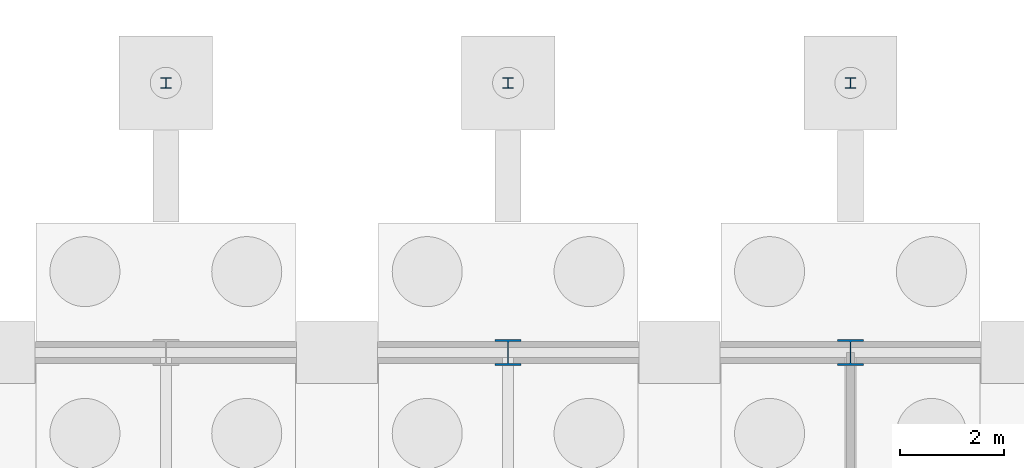
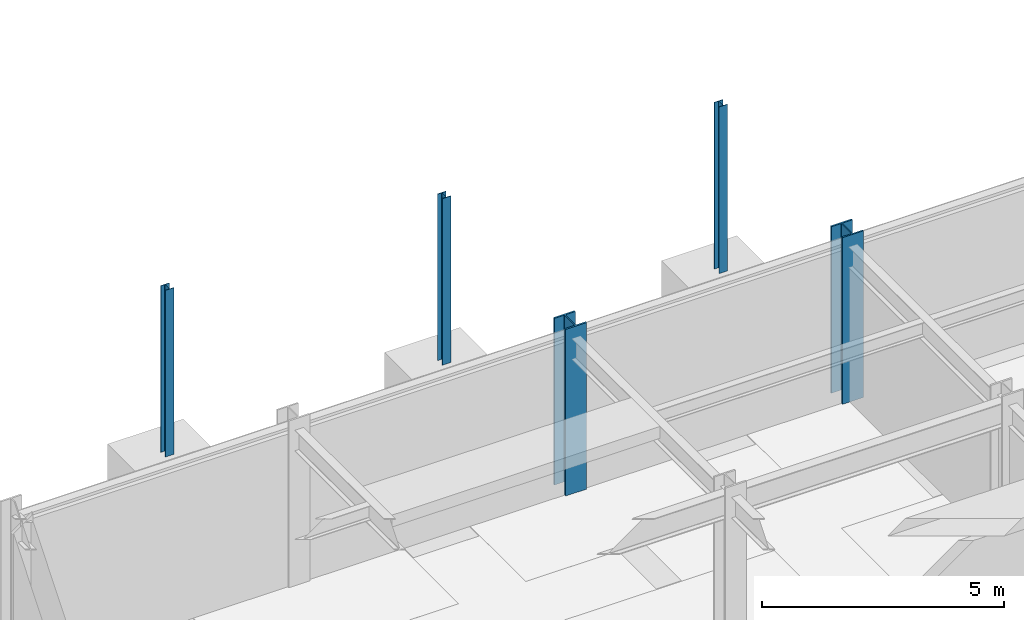
# One storey, part 15 of 58: 5 columns.
"""IFC4 building model written with IfcOpenShell, lengths in metres."""

import ifcopenshell
import ifcopenshell.guid

model = None  # the IFC model being written
_history = None  # IfcOwnerHistory: only IFC2X3 demands one
_inside = {}  # id of a spatial element -> (the spatial element, [elements in it])
_under = {}  # id of a project, library or spatial element -> (it, [spatial elements below it])
_declared = {}  # id of a project -> (the project, [libraries it declares])
_typed = {}  # id of a type object -> (the type object, [elements of that type])
_made_of = {}  # id of a material, layer set ... -> (it, [elements and type objects made of it])


def new_model(schema):
    """Start an empty IFC model of exactly this schema.

    Asked for "IFC4X3", IfcOpenShell would pick the latest addendum, in which some entities
    have other attributes; the version numbers below select the first issue.
    IFC2X3 requires an IfcOwnerHistory on every rooted entity: one is made here for all.
    """
    global model, _history
    if schema == "IFC4X3":
        model = ifcopenshell.file(schema_version=(4, 3, 0, 0))
    else:
        model = ifcopenshell.file(schema=schema)
    _inside.clear()
    _under.clear()
    _declared.clear()
    _typed.clear()
    _made_of.clear()
    _history = None
    if model.schema == "IFC2X3":
        org = make("IfcOrganization", Name="unknown")
        user = make(
            "IfcPersonAndOrganization",
            ThePerson=make("IfcPerson", FamilyName="unknown"),
            TheOrganization=org,
        )
        app = make(
            "IfcApplication",
            ApplicationDeveloper=org,
            Version="unknown",
            ApplicationFullName="unknown",
            ApplicationIdentifier="unknown",
        )
        _history = make(
            "IfcOwnerHistory",
            OwningUser=user,
            OwningApplication=app,
            ChangeAction="ADDED",
            CreationDate=0,
        )
    return model


def make(cls, **values):
    """One entity of the class cls with the attributes given. An attribute that is None is left unset."""
    return model.create_entity(
        cls, **{name: value for name, value in values.items() if value is not None}
    )


def rooted(cls, **values):
    """An entity with a GlobalId (a new one), such as an element, a storey or a relation."""
    return make(cls, GlobalId=ifcopenshell.guid.new(), OwnerHistory=_history, **values)


def si_unit(unit_type, name, prefix=None):
    """IfcSIUnit, for example si_unit("LENGTHUNIT", "METRE", prefix="MILLI")."""
    return make("IfcSIUnit", UnitType=unit_type, Prefix=prefix, Name=name)


def assignment(units):
    """IfcUnitAssignment: the units of a project."""
    return None if units is None else make("IfcUnitAssignment", Units=units)


def point(xyz):
    """IfcCartesianPoint."""
    return None if xyz is None else make("IfcCartesianPoint", Coordinates=xyz)


def direction(xyz):
    """IfcDirection."""
    return None if xyz is None else make("IfcDirection", DirectionRatios=xyz)


def frame(location, z_axis=None, x_axis=None):
    """IfcAxis2Placement3D, a coordinate frame: its origin and axes. An axis left out is left unset."""
    return make(
        "IfcAxis2Placement3D",
        Location=point(location),
        Axis=direction(z_axis),
        RefDirection=direction(x_axis),
    )


def frame_2d(location, x_axis=None):
    """IfcAxis2Placement2D, a coordinate frame in the plane: its origin and x axis."""
    return make(
        "IfcAxis2Placement2D", Location=point(location), RefDirection=direction(x_axis)
    )


def origin():
    """The frame at (0, 0, 0) with its axes left unset."""
    return frame((0.0, 0.0, 0.0))


def origin_2d():
    """The frame at (0, 0) in the plane with its x axis left unset."""
    return frame_2d((0.0, 0.0))


def place(relative_to, where):
    """IfcLocalPlacement: puts the frame where relative to a parent placement (None: the world)."""
    return make(
        "IfcLocalPlacement", PlacementRelTo=relative_to, RelativePlacement=where
    )


def context(
    kind, dimensions, precision=None, world=None, true_north=None, identifier=None
):
    """IfcGeometricRepresentationContext, for example the 3D "Model" context."""
    return make(
        "IfcGeometricRepresentationContext",
        ContextIdentifier=identifier,
        ContextType=kind,
        CoordinateSpaceDimension=dimensions,
        Precision=precision,
        WorldCoordinateSystem=world,
        TrueNorth=true_north,
    )


def subcontext(parent, identifier, kind, view, scale=None):
    """IfcGeometricRepresentationSubContext, for example "Body" below "Model"."""
    return make(
        "IfcGeometricRepresentationSubContext",
        ContextIdentifier=identifier,
        ContextType=kind,
        ParentContext=parent,
        TargetScale=scale,
        TargetView=view,
    )


def project(units=None, contexts=None):
    """IfcProject with its units and contexts."""
    return rooted(
        "IfcProject",
        Name="project",
        RepresentationContexts=contexts,
        UnitsInContext=assignment(units),
    )


def spatial(cls, under=None, at=None, **own):
    """A site, building, storey or space (cls), placed at a placement, below another one or the project."""
    s = rooted(cls, ObjectPlacement=at, **own)
    if under is not None:
        _under.setdefault(under.id(), (under, []))[1].append(s)
    return s


def profile(cls, at=None, kind="AREA", **sizes):
    """A parametric profile (cls). Its sizes go by their IFC names, for example OverallWidth=200.0."""
    return make(cls, ProfileType=kind, Position=at, **sizes)


def i_section(**sizes):
    """IfcIShapeProfileDef."""
    return profile("IfcIShapeProfileDef", **sizes)


def extrude(swept, where, along, depth):
    """IfcExtrudedAreaSolid: the profile swept, set in the frame where, extruded along a direction by depth."""
    return make(
        "IfcExtrudedAreaSolid",
        SweptArea=swept,
        Position=where,
        ExtrudedDirection=direction(along),
        Depth=depth,
    )


def shape(context_of_items, identifier, shape_type, items):
    """IfcShapeRepresentation: the items that make up one representation, for example the "Body"."""
    return make(
        "IfcShapeRepresentation",
        ContextOfItems=context_of_items,
        RepresentationIdentifier=identifier,
        RepresentationType=shape_type,
        Items=items,
    )


def material(Name=None, Category=None):
    """IfcMaterial."""
    return make("IfcMaterial", Name=Name, Category=Category)


def material_profile(
    of_material, cross_section, Name=None, Category=None, Priority=None
):
    """IfcMaterialProfile: a cross section and its material."""
    return make(
        "IfcMaterialProfile",
        Name=Name,
        Material=of_material,
        Profile=cross_section,
        Priority=Priority,
        Category=Category,
    )


def profile_set(profiles, Name=None, composite=None):
    """IfcMaterialProfileSet."""
    return make(
        "IfcMaterialProfileSet",
        Name=Name,
        MaterialProfiles=profiles,
        CompositeProfile=composite,
    )


def made_of(thing, what):
    """Note that an element or type object is made of a material, layer set ...; save() writes the relation."""
    if what is not None:
        _made_of.setdefault(what.id(), (what, []))[1].append(thing)
    return thing


def type_object(cls, material=None, **own):
    """A type object (cls), such as IfcWallType, which elements share."""
    return made_of(rooted(cls, **own), material)


def element(
    cls,
    number,
    at=None,
    inside=None,
    cuts=None,
    type_object=None,
    material=None,
    context=None,
    identifier="Body",
    shape_type=None,
    held_by="IfcProductDefinitionShape",
    body=None,
    shapes=None,
    **own,
):
    """One element of the class cls, such as IfcWall. Its Tag is "e" and its number.

    at: its placement. inside: the storey or other place that contains it. cuts: it is an
    opening in that element (IfcRelVoidsElement). A single representation is given by context,
    identifier, shape_type and body (its items); several are given by shapes. held_by: the class
    of the entity that holds the representations. save() writes the other relations.
    """
    e = rooted(cls, Tag="e%d" % number, ObjectPlacement=at, **own)
    if body is not None:
        shapes = [shape(context, identifier, shape_type, body)]
    if shapes is not None:
        e.Representation = make(held_by, Representations=shapes)
    if inside is not None:
        _inside.setdefault(inside.id(), (inside, []))[1].append(e)
    if cuts is not None:
        rooted(
            "IfcRelVoidsElement", RelatingBuildingElement=cuts, RelatedOpeningElement=e
        )
    if type_object is not None:
        _typed.setdefault(type_object.id(), (type_object, []))[1].append(e)
    return made_of(e, material)


def aggregate(whole, parts):
    """IfcRelAggregates: a whole, such as a stair, and the parts it consists of."""
    return rooted("IfcRelAggregates", RelatingObject=whole, RelatedObjects=parts)


def save(model, path):
    """Write the relations noted so far, then the file.

    IfcRelAggregates (storeys below a building ...), IfcRelContainedInSpatialStructure (elements
    in a storey), IfcRelDefinesByType, IfcRelAssociatesMaterial and IfcRelDeclares: one each for
    every whole, place, type object, material and project.
    """
    for whole, parts in _under.values():
        aggregate(whole, parts)
    for where, things in _inside.values():
        rooted(
            "IfcRelContainedInSpatialStructure",
            RelatedElements=things,
            RelatingStructure=where,
        )
    for kind, things in _typed.values():
        rooted("IfcRelDefinesByType", RelatedObjects=things, RelatingType=kind)
    for what, things in _made_of.values():
        rooted("IfcRelAssociatesMaterial", RelatedObjects=things, RelatingMaterial=what)
    for by, libraries in _declared.values():
        rooted("IfcRelDeclares", RelatingContext=by, RelatedDefinitions=libraries)
    model.write(path)


model = new_model("IFC4")

# Units and contexts
model_context = context("Model", 3, precision=1e-05, world=origin(), true_north=direction((0.0, 1.0)))
body_context = subcontext(model_context, "Body", "Model", "MODEL_VIEW")
ifc_project = project(units=[si_unit("LENGTHUNIT", "METRE"), si_unit("AREAUNIT", "SQUARE_METRE"), si_unit("VOLUMEUNIT", "CUBIC_METRE"), si_unit("PLANEANGLEUNIT", "RADIAN"), si_unit("MASSUNIT", "GRAM", prefix="KILO")], contexts=[model_context])

# Site, building, storey
site_placement = place(None, origin())
site = spatial("IfcSite", under=ifc_project, at=site_placement, CompositionType="ELEMENT")
building_placement = place(site_placement, origin())
building = spatial("IfcBuilding", under=site, at=building_placement, Name="Karori Crest Natural Sciences Institute", CompositionType="ELEMENT")
storey_placement = place(building_placement, frame((0.0, 0.0, -4.199951171875)))
storey = spatial("IfcBuildingStorey", under=building, at=storey_placement, Name="B1", CompositionType="ELEMENT", Elevation=-4.199951171875)

# Columns
ifc_material = material(Name="Structural steel AS/NZS 3679.1 Grade 350", Category="steel")
ifc_material_profile_1 = material_profile(ifc_material, i_section(OverallWidth=0.5, OverallDepth=0.5, WebThickness=0.02197265625, FlangeThickness=0.0400390625, FilletRadius=0.01611328125, at=origin_2d()), Name="500WC440")
ifc_profile_set_1 = profile_set([ifc_material_profile_1], Name="Structural steel AS/NZS 3679.1 Grade 350")
column_type_1 = type_object("IfcColumnType", Name="CT-01", PredefinedType="COLUMN", material=ifc_profile_set_1)
for number, where, z_axis, x_axis, name in (
    (1, (116.800048828125, 20.60009765625, 0.0), (0.0, 0.0, 1.0), (1.0, 0.0, 0.0), "Column C-1149"),
    (2, (123.39990234375, 20.60009765625, 0.0), (0.0, 0.0, 1.0), (1.0, 0.0, 0.0), "Column C-1197"),
):
    element("IfcColumn", number, at=place(storey_placement, frame(where, z_axis=z_axis, x_axis=x_axis)), inside=storey, type_object=column_type_1, Name=name, PredefinedType="COLUMN", context=body_context, shape_type="SweptSolid", body=[
        extrude(i_section(OverallWidth=0.5, OverallDepth=0.5, WebThickness=0.02197265625, FlangeThickness=0.0400390625, FilletRadius=0.01611328125, at=origin_2d()), origin(), (0.0, 0.0, 1.0), 4.199951171875),
    ])
ifc_material_profile_2 = material_profile(ifc_material, i_section(OverallWidth=0.202880859375, OverallDepth=0.202880859375, WebThickness=0.00732421875, FlangeThickness=0.010986328125, FilletRadius=0.010986328125, at=origin_2d()), Name="200UC46.2")
ifc_profile_set_2 = profile_set([ifc_material_profile_2], Name="Structural steel AS/NZS 3679.1 Grade 350")
column_type_2 = type_object("IfcColumnType", Name="CT-09", PredefinedType="COLUMN", material=ifc_profile_set_2)
for number, where, z_axis, x_axis, name in (
    (3, (110.199951171875, 25.800048828125, 0.0), (0.0, 0.0, 1.0), (1.0, 0.0, 0.0), "Column C-1457"),
    (4, (116.800048828125, 25.800048828125, 0.0), (0.0, 0.0, 1.0), (1.0, 0.0, 0.0), "Column C-1459"),
    (5, (123.39990234375, 25.800048828125, 0.0), (0.0, 0.0, 1.0), (1.0, 0.0, 0.0), "Column C-1461"),
):
    element("IfcColumn", number, at=place(storey_placement, frame(where, z_axis=z_axis, x_axis=x_axis)), inside=storey, type_object=column_type_2, Name=name, PredefinedType="COLUMN", context=body_context, shape_type="SweptSolid", body=[
        extrude(i_section(OverallWidth=0.202880859375, OverallDepth=0.202880859375, WebThickness=0.00732421875, FlangeThickness=0.010986328125, FilletRadius=0.010986328125, at=origin_2d()), origin(), (0.0, 0.0, 1.0), 4.199951171875),
    ])

save(model, "model.ifc")
